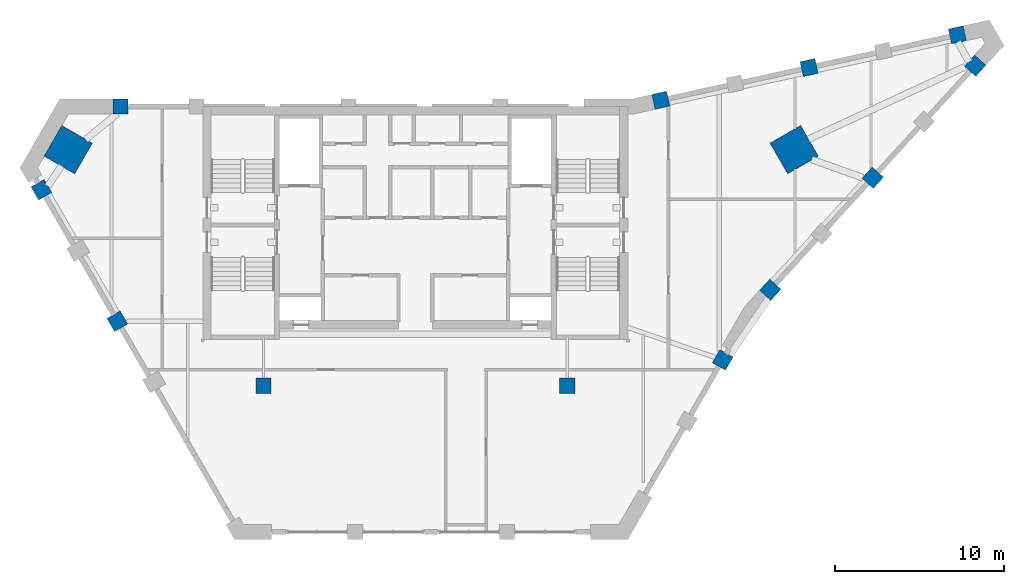
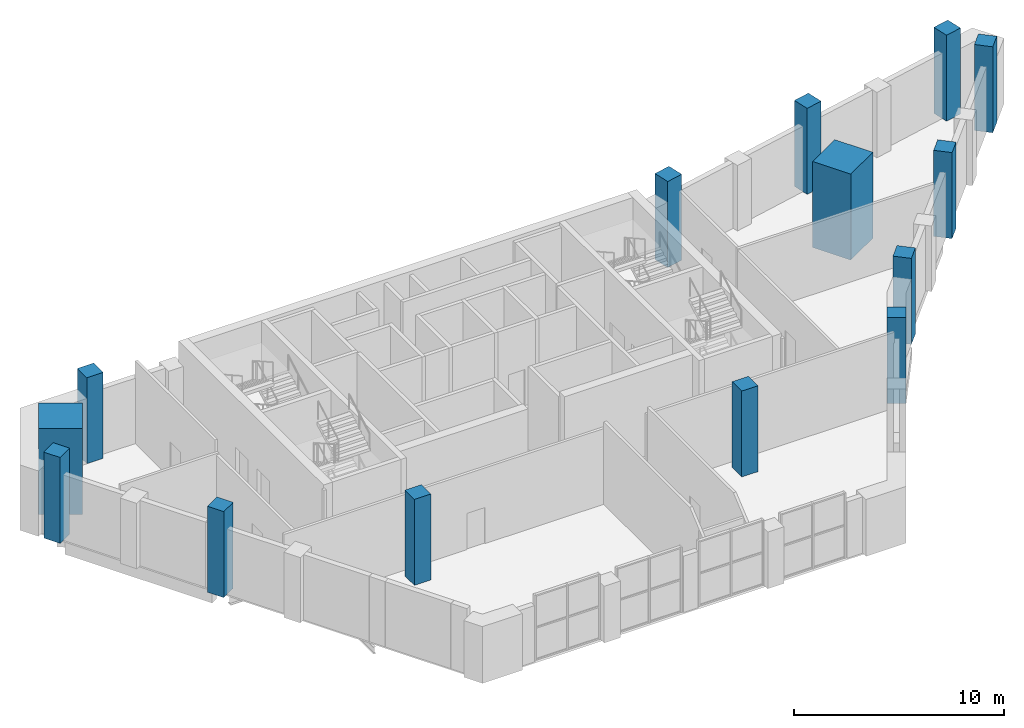
# One storey, part 1 of 9: 14 columns.
"""IFC4 building model written with IfcOpenShell, lengths in metres."""

from ifc_helpers import new_model, si_unit, direction, frame, origin, origin_2d, place, context, subcontext, project, spatial, rectangle, extrude, material, material_profile, profile_set, type_object, element, save


model = new_model("IFC4")

# Units and contexts
model_context = context("Model", 3, precision=1e-05, world=origin(), true_north=direction((0.0, 1.0)))
body_context = subcontext(model_context, "Body", "Model", "MODEL_VIEW")
ifc_project = project(units=[si_unit("LENGTHUNIT", "METRE"), si_unit("AREAUNIT", "SQUARE_METRE"), si_unit("VOLUMEUNIT", "CUBIC_METRE"), si_unit("PLANEANGLEUNIT", "RADIAN"), si_unit("MASSUNIT", "GRAM", prefix="KILO")], contexts=[model_context])

# Site, building, storey
site_placement = place(None, origin())
site = spatial("IfcSite", under=ifc_project, at=site_placement, CompositionType="ELEMENT")
building_placement = place(site_placement, origin())
building = spatial("IfcBuilding", under=site, at=building_placement, Name="Calabash Gate Tower", CompositionType="ELEMENT")
storey_placement = place(building_placement, frame((0.0, 0.0, 325.5)))
storey = spatial("IfcBuildingStorey", under=building, at=storey_placement, Name="L76", CompositionType="ELEMENT", Elevation=325.5)

# Columns
ifc_material_1 = material(Name="Concrete C60/75", Category="concrete")
ifc_material_profile_1 = material_profile(ifc_material_1, rectangle(XDim=0.89990234375, YDim=0.89990234375, at=origin_2d()))
ifc_profile_set_1 = profile_set([ifc_material_profile_1], Name="Concrete C60/75")
column_type_1 = type_object("IfcColumnType", Name="Interior column RC 900x900 Concrete C60/75", PredefinedType="COLUMN", material=ifc_profile_set_1)
for number, where, z_axis, x_axis, name in (
    (1, (-9.0, 2.5, 0.0), (0.0, 0.0, 1.0), (1.0, 0.0, 0.0), "Interior column L76 I0"),
    (2, (9.0, 2.5, 0.0), (0.0, 0.0, 1.0), (1.0, 0.0, 0.0), "Interior column L76 I1"),
):
    element("IfcColumn", number, at=place(storey_placement, frame(where, z_axis=z_axis, x_axis=x_axis)), inside=storey, type_object=column_type_1, Name=name, PredefinedType="COLUMN", context=body_context, shape_type="SweptSolid", body=[
        extrude(rectangle(XDim=0.89990234375, YDim=0.89990234375, at=origin_2d()), origin(), (0.0, 0.0, 1.0), 5.0),
    ])
ifc_material_2 = material(Name="Concrete C60/75", Category="concrete")
ifc_material_profile_2 = material_profile(ifc_material_2, rectangle(XDim=2.10009765625, YDim=2.10009765625, at=origin_2d()))
ifc_profile_set_2 = profile_set([ifc_material_profile_2], Name="Concrete C60/75")
column_type_2 = type_object("IfcColumnType", Name="Mega column RC 2100x2100 Concrete C60/75", PredefinedType="COLUMN", material=ifc_profile_set_2)
for number, where, z_axis, x_axis, name in (
    (3, (-20.572998046875, 16.491943359375, 0.0), (0.0, 0.0, 1.0), (0.866025395058, -0.500000015115, 0.0), "Mega column L76 NW"),
    (4, (22.447021484375, 16.491943359375, 0.0), (0.0, 0.0, 1.0), (-0.866025395058, -0.500000015115, 0.0), "Mega column L76 NE"),
):
    element("IfcColumn", number, at=place(storey_placement, frame(where, z_axis=z_axis, x_axis=x_axis)), inside=storey, type_object=column_type_2, Name=name, PredefinedType="COLUMN", context=body_context, shape_type="SweptSolid", body=[
        extrude(rectangle(XDim=2.10009765625, YDim=2.10009765625, at=origin_2d()), origin(), (0.0, 0.0, 1.0), 5.0),
    ])
ifc_material_3 = material(Name="Concrete C50/60", Category="concrete")
ifc_material_profile_3 = material_profile(ifc_material_3, rectangle(XDim=0.89990234375, YDim=0.89990234375, at=origin_2d()))
ifc_profile_set_3 = profile_set([ifc_material_profile_3], Name="Concrete C50/60")
column_type_3 = type_object("IfcColumnType", Name="Perimeter column RC 900x900 Concrete C50/60", PredefinedType="COLUMN", material=ifc_profile_set_3)
for number, where, z_axis, x_axis, name in (
    (5, (-22.162109375, 14.1201171875, 0.0), (0.0, 0.0, 1.0), (0.500000015115, -0.866025395058, 0.0), "Perimeter column L76 P20"),
    (6, (-17.662109375, 6.325927734375, 0.0), (0.0, 0.0, 1.0), (0.500000015115, -0.866025395058, 0.0), "Perimeter column L76 P00"),
    (7, (18.2080078125, 4.030029296875, 0.0), (0.0, 0.0, 1.0), (0.499999984885, 0.866025412511, 0.0), "Perimeter column L76 P11"),
    (8, (21.031005859375, 8.18701171875, 0.0), (0.0, 0.0, 1.0), (0.67485604152, 0.737949404244, 0.0), "Perimeter column L76 P12"),
    (9, (27.10400390625, 14.825927734375, 0.0), (0.0, 0.0, 1.0), (0.67485604152, 0.737949404244, 0.0), "Perimeter column L76 P36"),
    (10, (33.177978515625, 21.468017578125, 0.0), (0.0, 0.0, 1.0), (0.67485604152, 0.737949404244, 0.0), "Perimeter column L76 P37"),
    (11, (32.12109375, 23.298095703125, 0.0), (0.0, 0.0, 1.0), (-0.976510951543, -0.215467773731, 0.0), "Perimeter column L76 P38"),
    (12, (23.3330078125, 21.35888671875, 0.0), (0.0, 0.0, 1.0), (-0.976510951543, -0.215467773731, 0.0), "Perimeter column L76 P39"),
    (13, (14.5439453125, 19.4189453125, 0.0), (0.0, 0.0, 1.0), (-0.976510951543, -0.215467773731, 0.0), "Perimeter column L76 P40"),
    (14, (-17.466064453125, 19.052978515625, 0.0), (0.0, 0.0, 1.0), (-1.0, 0.0, 0.0), "Perimeter column L76 P31"),
):
    element("IfcColumn", number, at=place(storey_placement, frame(where, z_axis=z_axis, x_axis=x_axis)), inside=storey, type_object=column_type_3, Name=name, PredefinedType="COLUMN", context=body_context, shape_type="SweptSolid", body=[
        extrude(rectangle(XDim=0.89990234375, YDim=0.89990234375, at=origin_2d()), origin(), (0.0, 0.0, 1.0), 5.0),
    ])

save(model, "model.ifc")
